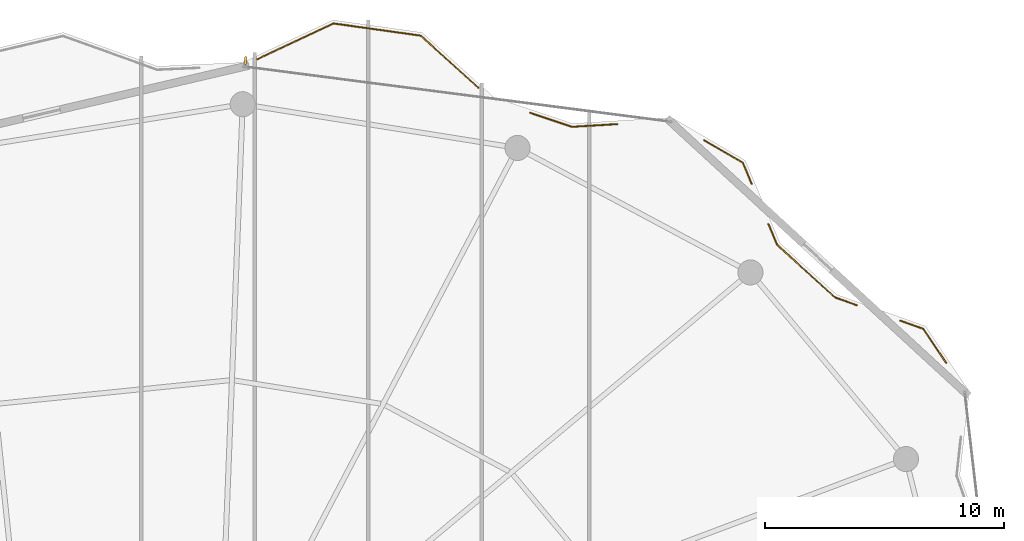
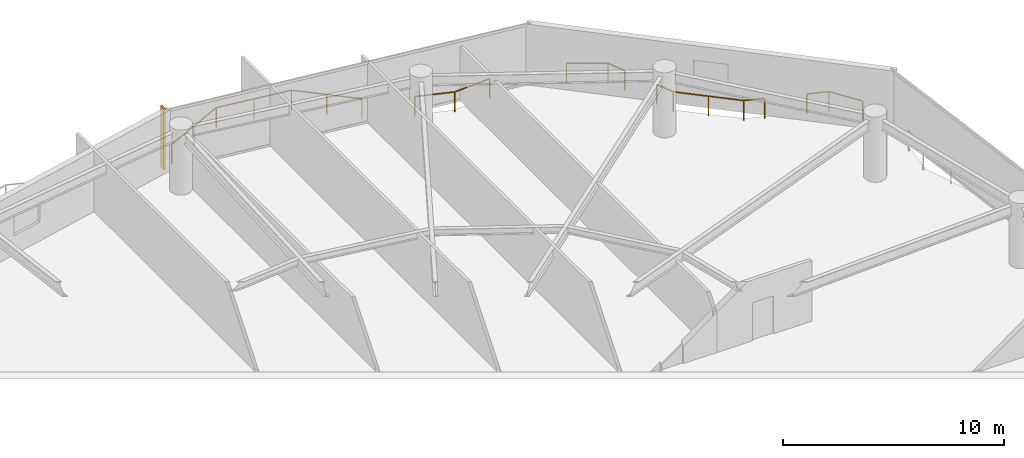
# One storey, part 31 of 31: 5 railings, 1 shading device.
"""IFC4 building model written with IfcOpenShell, lengths in metres."""

from ifc_helpers import new_model, si_unit, direction, frame, origin, origin_2d, place, context, subcontext, project, spatial, rectangle, extrude, material, type_object, element, save


model = new_model("IFC4")

# Units and contexts
model_context = context("Model", 3, precision=1e-05, world=origin(), true_north=direction((0.0, 1.0)))
body_context = subcontext(model_context, "Body", "Model", "MODEL_VIEW")
ifc_project = project(units=[si_unit("LENGTHUNIT", "METRE"), si_unit("AREAUNIT", "SQUARE_METRE"), si_unit("VOLUMEUNIT", "CUBIC_METRE"), si_unit("PLANEANGLEUNIT", "RADIAN"), si_unit("MASSUNIT", "GRAM", prefix="KILO")], contexts=[model_context])

# Site, building, storey
site_placement = place(None, origin())
site = spatial("IfcSite", under=ifc_project, at=site_placement, CompositionType="ELEMENT")
building_placement = place(site_placement, origin())
building = spatial("IfcBuilding", under=site, at=building_placement, Name="Kazevale Care Tower and Concert Hall", CompositionType="ELEMENT")
storey_placement = place(building_placement, frame((0.0, 0.0, 206.39990234375)))
storey = spatial("IfcBuildingStorey", under=building, at=storey_placement, Name="L54", CompositionType="ELEMENT", Elevation=206.39990234375)

# Railings
ifc_material_1 = material(Name="Anodised Bronze Aluminium and Laminated Glass", Category="aluminium")
railing_type = type_object("IfcRailingType", Name="Balcony and Terrace Balustrade 1120", PredefinedType="BALUSTRADE", material=ifc_material_1)
railing_1_placement = place(storey_placement, frame((45.610107421875, 63.931884765625, 0.0)))
element("IfcRailing", 1, at=railing_1_placement, inside=storey, type_object=railing_type, Name="rail:L54:perim:6", PredefinedType="BALUSTRADE", context=body_context, shape_type="SweptSolid", body=[
    extrude(rectangle(XDim=0.048095703125, YDim=0.048095703125, at=origin_2d()), frame((0.0, 0.0, 1.09619140625), z_axis=(0.905100997077, 0.42519664285, 0.0), x_axis=(-0.42519664285, 0.905100997077, 0.0)), (0.0, 0.0, 1.0), 3.525390625),
    extrude(rectangle(XDim=0.048095703125, YDim=0.048095703125, at=origin_2d()), frame((3.19091796875, 1.4990234375, 1.09619140625), z_axis=(0.990362854901, -0.138496987809, 0.0), x_axis=(0.138496987809, 0.990362854901, 0.0)), (0.0, 0.0, 1.0), 3.682373046875),
    extrude(rectangle(XDim=0.048095703125, YDim=0.048095703125, at=origin_2d()), frame((6.837890625, 0.989013671875, 1.09619140625), z_axis=(0.74237767764, -0.669981629407, 0.0), x_axis=(0.669981629407, 0.74237767764, 0.0)), (0.0, 0.0, 1.0), 3.260986328125),
    extrude(rectangle(XDim=0.0419921875, YDim=0.0419921875, at=origin_2d()), origin(), (0.0, 0.0, 1.0), 1.072021484375),
    extrude(rectangle(XDim=0.0419921875, YDim=0.0419921875, at=origin_2d()), frame((1.595458984375, 0.74951171875, 0.0)), (0.0, 0.0, 1.0), 1.072021484375),
    extrude(rectangle(XDim=0.0419921875, YDim=0.0419921875, at=origin_2d()), frame((3.19091796875, 1.4990234375, 0.0)), (0.0, 0.0, 1.0), 1.072021484375),
    extrude(rectangle(XDim=0.0419921875, YDim=0.0419921875, at=origin_2d()), frame((5.014404296875, 1.244140625, 0.0)), (0.0, 0.0, 1.0), 1.072021484375),
    extrude(rectangle(XDim=0.0419921875, YDim=0.0419921875, at=origin_2d()), frame((6.837890625, 0.989013671875, 0.0)), (0.0, 0.0, 1.0), 1.072021484375),
    extrude(rectangle(XDim=0.0419921875, YDim=0.0419921875, at=origin_2d()), frame((8.04833984375, -0.103515625, 0.0)), (0.0, 0.0, 1.0), 1.072021484375),
    extrude(rectangle(XDim=0.0419921875, YDim=0.0419921875, at=origin_2d()), frame((9.2587890625, -1.19580078125, 0.0)), (0.0, 0.0, 1.0), 1.072021484375),
])
railing_2_placement = place(storey_placement, frame((57.032958984375, 61.68994140625, 0.0)))
element("IfcRailing", 2, at=railing_2_placement, inside=storey, type_object=railing_type, Name="rail:L54:perim:7", PredefinedType="BALUSTRADE", context=body_context, shape_type="SweptSolid", body=[
    extrude(rectangle(XDim=0.048095703125, YDim=0.048095703125, at=origin_2d()), frame((0.0, 0.0, 1.09619140625), z_axis=(0.948045105832, -0.318135941554, 0.0), x_axis=(0.318135941554, 0.948045105832, 0.0)), (0.0, 0.0, 1.0), 1.841796875),
    extrude(rectangle(XDim=0.048095703125, YDim=0.048095703125, at=origin_2d()), frame((1.74609375, -0.5859375, 1.09619140625), z_axis=(0.998181354811, 0.060282525723, 0.0), x_axis=(-0.060282525723, 0.998181354811, 0.0)), (0.0, 0.0, 1.0), 1.907470703125),
    extrude(rectangle(XDim=0.0419921875, YDim=0.0419921875, at=origin_2d()), origin(), (0.0, 0.0, 1.0), 1.072021484375),
    extrude(rectangle(XDim=0.0419921875, YDim=0.0419921875, at=origin_2d()), frame((1.74609375, -0.5859375, 0.0)), (0.0, 0.0, 1.0), 1.072021484375),
    extrude(rectangle(XDim=0.0419921875, YDim=0.0419921875, at=origin_2d()), frame((3.650146484375, -0.470947265625, 0.0)), (0.0, 0.0, 1.0), 1.072021484375),
])
railing_3_placement = place(storey_placement, frame((64.31298828125, 60.54296875, 0.0)))
element("IfcRailing", 3, at=railing_3_placement, inside=storey, type_object=railing_type, Name="rail:L54:perim:8", PredefinedType="BALUSTRADE", context=body_context, shape_type="SweptSolid", body=[
    extrude(rectangle(XDim=0.048095703125, YDim=0.048095703125, at=origin_2d()), frame((0.0, 0.0, 1.09619140625), z_axis=(0.863897008105, -0.503668501483, 0.0), x_axis=(0.503668501483, 0.863897008105, 0.0)), (0.0, 0.0, 1.0), 1.8740234375),
    extrude(rectangle(XDim=0.048095703125, YDim=0.048095703125, at=origin_2d()), frame((1.618896484375, -0.94384765625, 1.09619140625), z_axis=(0.384958845263, -0.922933739471, 0.0), x_axis=(0.922933739471, 0.384958845263, 0.0)), (0.0, 0.0, 1.0), 0.958984375),
    extrude(rectangle(XDim=0.0419921875, YDim=0.0419921875, at=origin_2d()), origin(), (0.0, 0.0, 1.0), 1.072021484375),
    extrude(rectangle(XDim=0.0419921875, YDim=0.0419921875, at=origin_2d()), frame((1.618896484375, -0.94384765625, 0.0)), (0.0, 0.0, 1.0), 1.072021484375),
    extrude(rectangle(XDim=0.0419921875, YDim=0.0419921875, at=origin_2d()), frame((1.988037109375, -1.828857421875, 0.0)), (0.0, 0.0, 1.0), 1.072021484375),
])
railing_4_placement = place(storey_placement, frame((67.0029296875, 57.037109375, 0.0)))
element("IfcRailing", 4, at=railing_4_placement, inside=storey, type_object=railing_type, Name="rail:L54:perim:9", PredefinedType="BALUSTRADE", context=body_context, shape_type="SweptSolid", body=[
    extrude(rectangle(XDim=0.048095703125, YDim=0.048095703125, at=origin_2d()), frame((0.0, 0.0, 1.09619140625), z_axis=(0.385400252226, -0.922749503161, 0.0), x_axis=(0.922749503161, 0.385400252226, 0.0)), (0.0, 0.0, 1.0), 0.949462890625),
    extrude(rectangle(XDim=0.048095703125, YDim=0.048095703125, at=origin_2d()), frame((0.365966796875, -0.876220703125, 1.09619140625), z_axis=(0.740453598396, -0.672107482939, 0.0), x_axis=(0.672107482939, 0.740453598396, 0.0)), (0.0, 0.0, 1.0), 3.2685546875),
    extrude(rectangle(XDim=0.048095703125, YDim=0.048095703125, at=origin_2d()), frame((2.7861328125, -3.072998046875, 1.09619140625), z_axis=(0.941931266787, -0.33580573052, 0.0), x_axis=(0.33580573052, 0.941931266787, 0.0)), (0.0, 0.0, 1.0), 0.9619140625),
    extrude(rectangle(XDim=0.0419921875, YDim=0.0419921875, at=origin_2d()), origin(), (0.0, 0.0, 1.0), 1.072021484375),
    extrude(rectangle(XDim=0.0419921875, YDim=0.0419921875, at=origin_2d()), frame((0.365966796875, -0.876220703125, 0.0)), (0.0, 0.0, 1.0), 1.072021484375),
    extrude(rectangle(XDim=0.0419921875, YDim=0.0419921875, at=origin_2d()), frame((1.576171875, -1.974609375, 0.0)), (0.0, 0.0, 1.0), 1.072021484375),
    extrude(rectangle(XDim=0.0419921875, YDim=0.0419921875, at=origin_2d()), frame((2.7861328125, -3.072998046875, 0.0)), (0.0, 0.0, 1.0), 1.072021484375),
    extrude(rectangle(XDim=0.0419921875, YDim=0.0419921875, at=origin_2d()), frame((3.692138671875, -3.39599609375, 0.0)), (0.0, 0.0, 1.0), 1.072021484375),
])
railing_5_placement = place(storey_placement, frame((72.527099609375, 52.989013671875, 0.0)))
element("IfcRailing", 5, at=railing_5_placement, inside=storey, type_object=railing_type, Name="rail:L54:perim:10", PredefinedType="BALUSTRADE", context=body_context, shape_type="SweptSolid", body=[
    extrude(rectangle(XDim=0.048095703125, YDim=0.048095703125, at=origin_2d()), frame((0.0, 0.0, 1.09619140625), z_axis=(0.941882879888, -0.335941424319, 0.0), x_axis=(0.335941424319, 0.941882879888, 0.0)), (0.0, 0.0, 1.0), 1.01806640625),
    extrude(rectangle(XDim=0.048095703125, YDim=0.048095703125, at=origin_2d()), frame((0.958984375, -0.342041015625, 1.09619140625), z_axis=(0.558028145129, -0.829822022631, 0.0), x_axis=(0.829822022631, 0.558028145129, 0.0)), (0.0, 0.0, 1.0), 1.70751953125),
    extrude(rectangle(XDim=0.0419921875, YDim=0.0419921875, at=origin_2d()), origin(), (0.0, 0.0, 1.0), 1.072021484375),
    extrude(rectangle(XDim=0.0419921875, YDim=0.0419921875, at=origin_2d()), frame((0.958984375, -0.342041015625, 0.0)), (0.0, 0.0, 1.0), 1.072021484375),
    extrude(rectangle(XDim=0.0419921875, YDim=0.0419921875, at=origin_2d()), frame((1.911865234375, -1.759033203125, 0.0)), (0.0, 0.0, 1.0), 1.072021484375),
])

# Shading device
ifc_material_2 = material(Name="Anodised Bronze Aluminium", Category="aluminium")
shading_device_type = type_object("IfcShadingDeviceType", Name="Waist Anodised Bronze-Stone Fin FIN-02", PredefinedType="USERDEFINED", material=ifc_material_2)
shading_device_placement = place(storey_placement, frame((45.116455078125, 63.870849609375, 0.0), z_axis=(0.0, 0.0, 1.0), x_axis=(0.128103248172, 0.991760837, 0.0)))
element("IfcShadingDevice", 6, at=shading_device_placement, inside=storey, type_object=shading_device_type, Name="cw:L54:f16:fin", ObjectType="FIN", PredefinedType="USERDEFINED", context=body_context, shape_type="SweptSolid", body=[
    extrude(rectangle(XDim=0.340087890625, YDim=0.10009765625, at=origin_2d()), origin(), (0.0, 0.0, 1.0), 3.360107421875),
])

save(model, "model.ifc")
